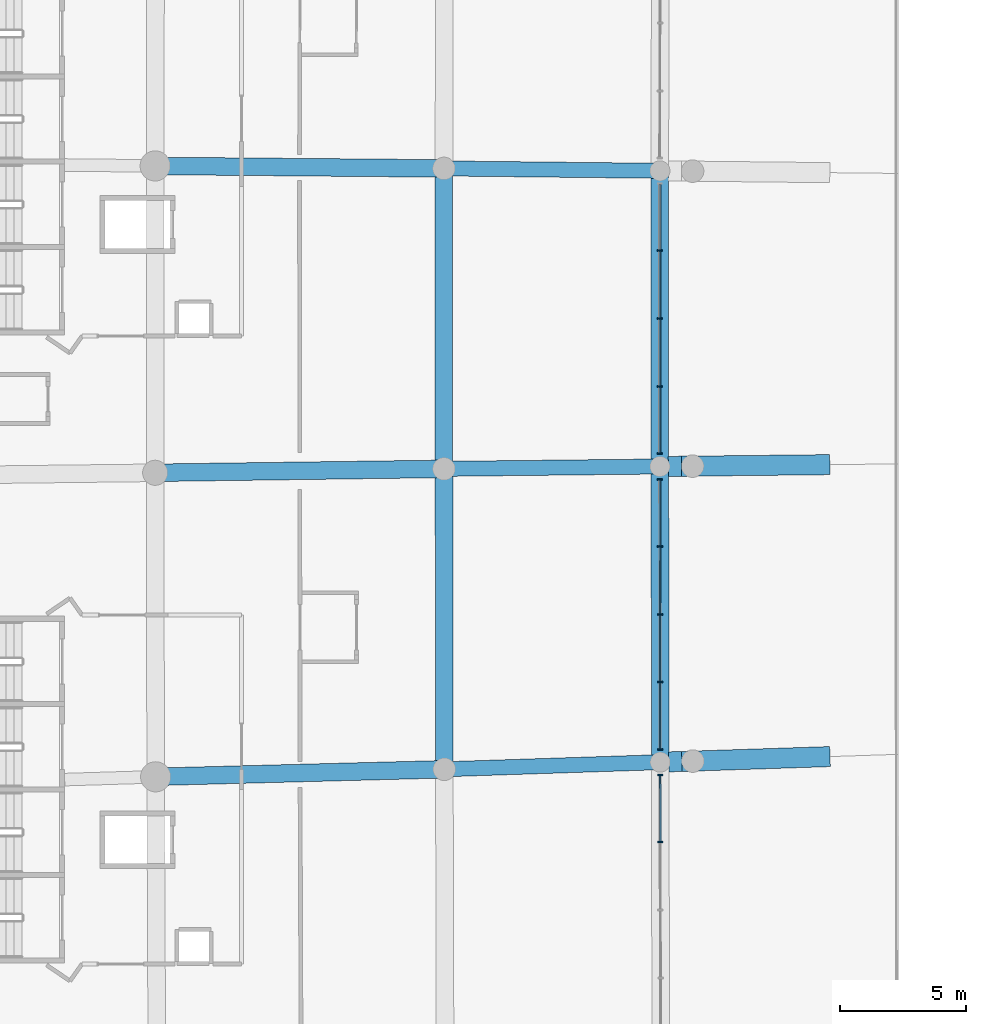
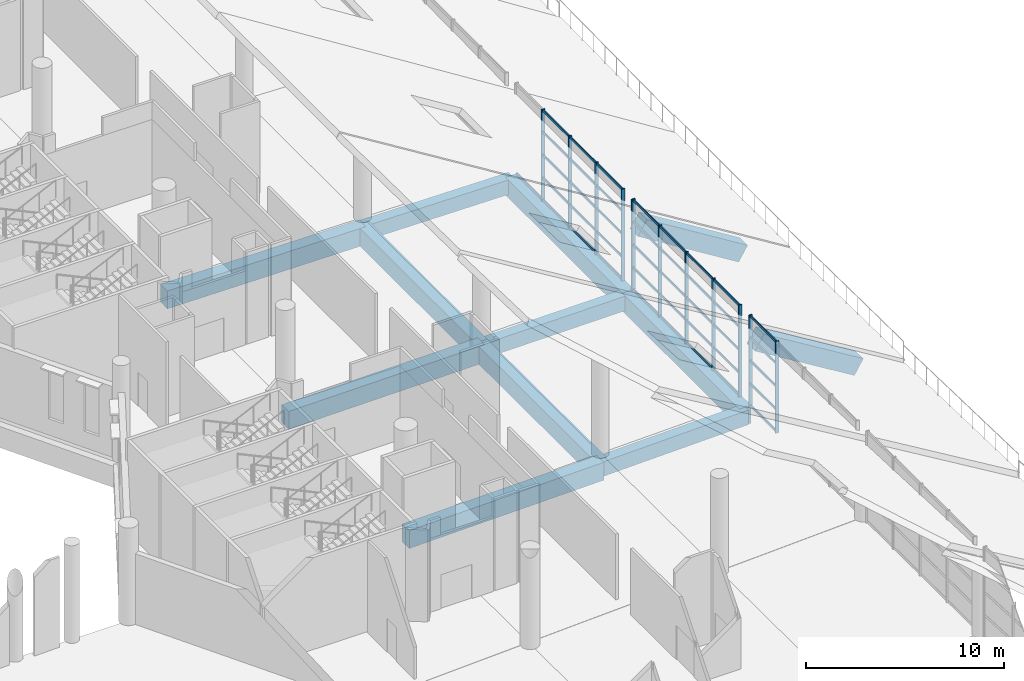
# One storey, part 26 of 249: 52 members, 12 beams, 3 elements without a shape of their own.
"""IFC4 building model written with IfcOpenShell, lengths in metres."""

from ifc_helpers import new_model, si_unit, direction, frame, origin, origin_2d, place, context, subcontext, project, spatial, rectangle, extrude, material, layer, layer_set, material_profile, profile_set, type_object, element, aggregate, save


model = new_model("IFC4")

# Units and contexts
model_context = context("Model", 3, precision=1e-05, world=origin(), true_north=direction((0.0, 1.0)))
body_context = subcontext(model_context, "Body", "Model", "MODEL_VIEW")
ifc_project = project(units=[si_unit("LENGTHUNIT", "METRE"), si_unit("AREAUNIT", "SQUARE_METRE"), si_unit("VOLUMEUNIT", "CUBIC_METRE"), si_unit("PLANEANGLEUNIT", "RADIAN"), si_unit("MASSUNIT", "GRAM", prefix="KILO")], contexts=[model_context])

# Site, building, storey
site_placement = place(None, origin())
site = spatial("IfcSite", under=ifc_project, at=site_placement, CompositionType="ELEMENT")
building_placement = place(site_placement, origin())
building = spatial("IfcBuilding", under=site, at=building_placement, Name="Meseta Stadium", CompositionType="ELEMENT")
storey_placement = place(building_placement, frame((0.0, 0.0, 12.0)))
storey = spatial("IfcBuildingStorey", under=building, at=storey_placement, Name="L02", CompositionType="ELEMENT", Elevation=12.0)

# Curtain wall, members
ifc_material_1 = material(Name="Aluminium", Category="aluminium")
ifc_layer = layer(ifc_material_1, 0.199951171875)
ifc_layer_set = layer_set([ifc_layer], Name="Suite glazing curtain wall")
curtain_wall_type = type_object("IfcCurtainWallType", Name="Suite glazing curtain wall", PredefinedType="NOTDEFINED", material=ifc_layer_set)
curtain_wall_1_placement = place(storey_placement, origin())
curtain_wall_1 = element("IfcCurtainWall", 1, at=curtain_wall_1_placement, inside=storey, type_object=curtain_wall_type, Name="Suite glazing bay 32", PredefinedType="NOTDEFINED")
ifc_material_2 = material(Name="Aluminium", Category="aluminium")
ifc_material_profile_1 = material_profile(ifc_material_2, rectangle(XDim=0.199951171875, YDim=0.06005859375, at=origin_2d()), Name="CW 200x60")
ifc_profile_set_1 = profile_set([ifc_material_profile_1], Name="Aluminium")
member_type_1 = type_object("IfcMemberType", Name="CW mullion 60x200", PredefinedType="MULLION", material=ifc_profile_set_1)
member_1_placement = place(storey_placement, frame((-64.898681640625, 2.7041015625, 0.0), z_axis=(0.0, 0.0, 1.0), x_axis=(1.0, 0.0, 0.0)))
member_1 = element("IfcMember", 2, at=member_1_placement, type_object=member_type_1, Name="CWS mullion 2", PredefinedType="MULLION", context=body_context, shape_type="SweptSolid", body=[
    extrude(rectangle(XDim=0.199951171875, YDim=0.06005859375, at=origin_2d()), origin(), (0.0, 0.0, 1.0), 5.64990234375),
])
member_2_placement = place(storey_placement, frame((-64.898681640625, 0.0, 0.0), z_axis=(0.0, 0.0, 1.0), x_axis=(1.0, 0.0, 0.0)))
member_2 = element("IfcMember", 3, at=member_2_placement, type_object=member_type_1, Name="CWS mullion 3", PredefinedType="MULLION", context=body_context, shape_type="SweptSolid", body=[
    extrude(rectangle(XDim=0.199951171875, YDim=0.06005859375, at=origin_2d()), origin(), (0.0, 0.0, 1.0), 5.64990234375),
])
member_3_placement = place(storey_placement, frame((-64.898681640625, -2.7041015625, 0.0), z_axis=(0.0, 0.0, 1.0), x_axis=(1.0, 0.0, 0.0)))
member_3 = element("IfcMember", 4, at=member_3_placement, type_object=member_type_1, Name="CWS mullion 4", PredefinedType="MULLION", context=body_context, shape_type="SweptSolid", body=[
    extrude(rectangle(XDim=0.199951171875, YDim=0.06005859375, at=origin_2d()), origin(), (0.0, 0.0, 1.0), 5.64990234375),
])
member_4_placement = place(storey_placement, frame((-64.898681640625, -5.378173828125, 0.0), z_axis=(0.0, 0.0, 1.0), x_axis=(1.0, 0.0, 0.0)))
member_4 = element("IfcMember", 5, at=member_4_placement, type_object=member_type_1, Name="CWS mullion 5", PredefinedType="MULLION", context=body_context, shape_type="SweptSolid", body=[
    extrude(rectangle(XDim=0.199951171875, YDim=0.06005859375, at=origin_2d()), origin(), (0.0, 0.0, 1.0), 5.64990234375),
])

curtain_wall_2_placement = place(storey_placement, origin())
curtain_wall_2 = element("IfcCurtainWall", 6, at=curtain_wall_2_placement, inside=storey, type_object=curtain_wall_type, Name="Suite glazing bay 33", PredefinedType="NOTDEFINED")
member_5_placement = place(storey_placement, frame((-64.89794921875, -6.39599609375, 0.0), z_axis=(0.0, 0.0, 1.0), x_axis=(0.99999952434, 0.000975355927, 0.0)))
member_5 = element("IfcMember", 7, at=member_5_placement, type_object=member_type_1, Name="CWS mullion 1", PredefinedType="MULLION", context=body_context, shape_type="SweptSolid", body=[
    extrude(rectangle(XDim=0.199951171875, YDim=0.06005859375, at=origin_2d()), origin(), (0.0, 0.0, 1.0), 5.64990234375),
])
member_6_placement = place(storey_placement, frame((-64.8955078125, -9.06982421875, 0.0), z_axis=(0.0, 0.0, 1.0), x_axis=(0.99999952434, 0.000975355927, 0.0)))
member_6 = element("IfcMember", 8, at=member_6_placement, type_object=member_type_1, Name="CWS mullion 2", PredefinedType="MULLION", context=body_context, shape_type="SweptSolid", body=[
    extrude(rectangle(XDim=0.199951171875, YDim=0.06005859375, at=origin_2d()), origin(), (0.0, 0.0, 1.0), 5.64990234375),
])
member_7_placement = place(storey_placement, frame((-64.892822265625, -11.773681640625, 0.0), z_axis=(0.0, 0.0, 1.0), x_axis=(0.99999952434, 0.000975355927, 0.0)))
member_7 = element("IfcMember", 9, at=member_7_placement, type_object=member_type_1, Name="CWS mullion 3", PredefinedType="MULLION", context=body_context, shape_type="SweptSolid", body=[
    extrude(rectangle(XDim=0.199951171875, YDim=0.06005859375, at=origin_2d()), origin(), (0.0, 0.0, 1.0), 5.64990234375),
])
member_8_placement = place(storey_placement, frame((-64.89013671875, -14.477783203125, 0.0), z_axis=(0.0, 0.0, 1.0), x_axis=(0.99999952434, 0.000975355927, 0.0)))
member_8 = element("IfcMember", 10, at=member_8_placement, type_object=member_type_1, Name="CWS mullion 4", PredefinedType="MULLION", context=body_context, shape_type="SweptSolid", body=[
    extrude(rectangle(XDim=0.199951171875, YDim=0.06005859375, at=origin_2d()), origin(), (0.0, 0.0, 1.0), 5.64990234375),
])
member_9_placement = place(storey_placement, frame((-64.8876953125, -17.151611328125, 0.0), z_axis=(0.0, 0.0, 1.0), x_axis=(0.99999952434, 0.000975355927, 0.0)))
member_9 = element("IfcMember", 11, at=member_9_placement, type_object=member_type_1, Name="CWS mullion 5", PredefinedType="MULLION", context=body_context, shape_type="SweptSolid", body=[
    extrude(rectangle(XDim=0.199951171875, YDim=0.06005859375, at=origin_2d()), origin(), (0.0, 0.0, 1.0), 5.64990234375),
])

curtain_wall_3_placement = place(storey_placement, origin())
curtain_wall_3 = element("IfcCurtainWall", 12, at=curtain_wall_3_placement, inside=storey, type_object=curtain_wall_type, Name="Suite glazing bay 34", PredefinedType="NOTDEFINED")
member_10_placement = place(storey_placement, frame((-64.885986328125, -18.169921875, 0.0), z_axis=(0.0, 0.0, 1.0), x_axis=(0.999998105206, 0.001946685349, 0.0)))
member_10 = element("IfcMember", 13, at=member_10_placement, type_object=member_type_1, Name="CWS mullion 1", PredefinedType="MULLION", context=body_context, shape_type="SweptSolid", body=[
    extrude(rectangle(XDim=0.199951171875, YDim=0.06005859375, at=origin_2d()), origin(), (0.0, 0.0, 1.0), 5.64990234375),
])
member_11_placement = place(storey_placement, frame((-64.880859375, -20.84326171875, 0.0), z_axis=(0.0, 0.0, 1.0), x_axis=(0.999998105206, 0.001946685349, 0.0)))
member_11 = element("IfcMember", 14, at=member_11_placement, type_object=member_type_1, Name="CWS mullion 2", PredefinedType="MULLION", context=body_context, shape_type="SweptSolid", body=[
    extrude(rectangle(XDim=0.199951171875, YDim=0.06005859375, at=origin_2d()), origin(), (0.0, 0.0, 1.0), 5.64990234375),
])

# Member
ifc_material_3 = material(Name="Aluminium", Category="aluminium")
ifc_material_profile_2 = material_profile(ifc_material_3, rectangle(XDim=0.06005859375, YDim=0.14990234375, at=origin_2d()), Name="CW 60x150")
ifc_profile_set_2 = profile_set([ifc_material_profile_2], Name="Aluminium")
member_type_2 = type_object("IfcMemberType", Name="CW transom 60x150", PredefinedType="USERDEFINED", material=ifc_profile_set_2)
member_12_placement = place(storey_placement, frame((-64.898681640625, 5.34814453125, 0.074951171875), z_axis=(0.0, -1.0, 0.0), x_axis=(1.0, 0.0, 0.0)))
member_12 = element("IfcMember", 15, at=member_12_placement, type_object=member_type_2, Name="CWS transom 1.1", ObjectType="TRANSOM", PredefinedType="USERDEFINED", context=body_context, shape_type="SweptSolid", body=[
    extrude(rectangle(XDim=0.06005859375, YDim=0.14990234375, at=origin_2d()), origin(), (0.0, 0.0, 1.0), 2.614013671875),
])

member_13_placement = place(storey_placement, frame((-64.898681640625, 2.674072265625, 0.074951171875), z_axis=(0.0, -1.0, 0.0), x_axis=(1.0, 0.0, 0.0)))
member_13 = element("IfcMember", 16, at=member_13_placement, type_object=member_type_2, Name="CWS transom 2.1", ObjectType="TRANSOM", PredefinedType="USERDEFINED", context=body_context, shape_type="SweptSolid", body=[
    extrude(rectangle(XDim=0.06005859375, YDim=0.14990234375, at=origin_2d()), origin(), (0.0, 0.0, 1.0), 2.64404296875),
])

member_14_placement = place(storey_placement, frame((-64.898681640625, 2.674072265625, 1.41259765625), z_axis=(0.0, -1.0, 0.0), x_axis=(1.0, 0.0, 0.0)))
member_14 = element("IfcMember", 17, at=member_14_placement, type_object=member_type_2, Name="CWS transom 2.2", ObjectType="TRANSOM", PredefinedType="USERDEFINED", context=body_context, shape_type="SweptSolid", body=[
    extrude(rectangle(XDim=0.06005859375, YDim=0.14990234375, at=origin_2d()), origin(), (0.0, 0.0, 1.0), 2.64404296875),
])

member_15_placement = place(storey_placement, frame((-64.898681640625, 2.674072265625, 2.824951171875), z_axis=(0.0, -1.0, 0.0), x_axis=(1.0, 0.0, 0.0)))
member_15 = element("IfcMember", 18, at=member_15_placement, type_object=member_type_2, Name="CWS transom 2.3", ObjectType="TRANSOM", PredefinedType="USERDEFINED", context=body_context, shape_type="SweptSolid", body=[
    extrude(rectangle(XDim=0.06005859375, YDim=0.14990234375, at=origin_2d()), origin(), (0.0, 0.0, 1.0), 2.64404296875),
])

member_16_placement = place(storey_placement, frame((-64.898681640625, 2.674072265625, 4.237548828125), z_axis=(0.0, -1.0, 0.0), x_axis=(1.0, 0.0, 0.0)))
member_16 = element("IfcMember", 19, at=member_16_placement, type_object=member_type_2, Name="CWS transom 2.4", ObjectType="TRANSOM", PredefinedType="USERDEFINED", context=body_context, shape_type="SweptSolid", body=[
    extrude(rectangle(XDim=0.06005859375, YDim=0.14990234375, at=origin_2d()), origin(), (0.0, 0.0, 1.0), 2.64404296875),
])

member_17_placement = place(storey_placement, frame((-64.898681640625, 2.674072265625, 5.574951171875), z_axis=(0.0, -1.0, 0.0), x_axis=(1.0, 0.0, 0.0)))
member_17 = element("IfcMember", 20, at=member_17_placement, type_object=member_type_2, Name="CWS transom 2.5", ObjectType="TRANSOM", PredefinedType="USERDEFINED", context=body_context, shape_type="SweptSolid", body=[
    extrude(rectangle(XDim=0.06005859375, YDim=0.14990234375, at=origin_2d()), origin(), (0.0, 0.0, 1.0), 2.64404296875),
])

member_18_placement = place(storey_placement, frame((-64.898681640625, -0.030029296875, 0.074951171875), z_axis=(0.0, -1.0, 0.0), x_axis=(1.0, 0.0, 0.0)))
member_18 = element("IfcMember", 21, at=member_18_placement, type_object=member_type_2, Name="CWS transom 3.1", ObjectType="TRANSOM", PredefinedType="USERDEFINED", context=body_context, shape_type="SweptSolid", body=[
    extrude(rectangle(XDim=0.06005859375, YDim=0.14990234375, at=origin_2d()), origin(), (0.0, 0.0, 1.0), 2.64404296875),
])

member_19_placement = place(storey_placement, frame((-64.898681640625, -0.030029296875, 1.41259765625), z_axis=(0.0, -1.0, 0.0), x_axis=(1.0, 0.0, 0.0)))
member_19 = element("IfcMember", 22, at=member_19_placement, type_object=member_type_2, Name="CWS transom 3.2", ObjectType="TRANSOM", PredefinedType="USERDEFINED", context=body_context, shape_type="SweptSolid", body=[
    extrude(rectangle(XDim=0.06005859375, YDim=0.14990234375, at=origin_2d()), origin(), (0.0, 0.0, 1.0), 2.64404296875),
])

member_20_placement = place(storey_placement, frame((-64.898681640625, -0.030029296875, 2.824951171875), z_axis=(0.0, -1.0, 0.0), x_axis=(1.0, 0.0, 0.0)))
member_20 = element("IfcMember", 23, at=member_20_placement, type_object=member_type_2, Name="CWS transom 3.3", ObjectType="TRANSOM", PredefinedType="USERDEFINED", context=body_context, shape_type="SweptSolid", body=[
    extrude(rectangle(XDim=0.06005859375, YDim=0.14990234375, at=origin_2d()), origin(), (0.0, 0.0, 1.0), 2.64404296875),
])

member_21_placement = place(storey_placement, frame((-64.898681640625, -0.030029296875, 4.237548828125), z_axis=(0.0, -1.0, 0.0), x_axis=(1.0, 0.0, 0.0)))
member_21 = element("IfcMember", 24, at=member_21_placement, type_object=member_type_2, Name="CWS transom 3.4", ObjectType="TRANSOM", PredefinedType="USERDEFINED", context=body_context, shape_type="SweptSolid", body=[
    extrude(rectangle(XDim=0.06005859375, YDim=0.14990234375, at=origin_2d()), origin(), (0.0, 0.0, 1.0), 2.64404296875),
])

member_22_placement = place(storey_placement, frame((-64.898681640625, -0.030029296875, 5.574951171875), z_axis=(0.0, -1.0, 0.0), x_axis=(1.0, 0.0, 0.0)))
member_22 = element("IfcMember", 25, at=member_22_placement, type_object=member_type_2, Name="CWS transom 3.5", ObjectType="TRANSOM", PredefinedType="USERDEFINED", context=body_context, shape_type="SweptSolid", body=[
    extrude(rectangle(XDim=0.06005859375, YDim=0.14990234375, at=origin_2d()), origin(), (0.0, 0.0, 1.0), 2.64404296875),
])

member_23_placement = place(storey_placement, frame((-64.898681640625, -2.734130859375, 0.074951171875), z_axis=(0.0, -1.0, 0.0), x_axis=(1.0, 0.0, 0.0)))
member_23 = element("IfcMember", 26, at=member_23_placement, type_object=member_type_2, Name="CWS transom 4.1", ObjectType="TRANSOM", PredefinedType="USERDEFINED", context=body_context, shape_type="SweptSolid", body=[
    extrude(rectangle(XDim=0.06005859375, YDim=0.14990234375, at=origin_2d()), origin(), (0.0, 0.0, 1.0), 2.614013671875),
])

member_24_placement = place(storey_placement, frame((-64.898681640625, -2.734130859375, 1.41259765625), z_axis=(0.0, -1.0, 0.0), x_axis=(1.0, 0.0, 0.0)))
member_24 = element("IfcMember", 27, at=member_24_placement, type_object=member_type_2, Name="CWS transom 4.2", ObjectType="TRANSOM", PredefinedType="USERDEFINED", context=body_context, shape_type="SweptSolid", body=[
    extrude(rectangle(XDim=0.06005859375, YDim=0.14990234375, at=origin_2d()), origin(), (0.0, 0.0, 1.0), 2.614013671875),
])

member_25_placement = place(storey_placement, frame((-64.898681640625, -2.734130859375, 2.824951171875), z_axis=(0.0, -1.0, 0.0), x_axis=(1.0, 0.0, 0.0)))
member_25 = element("IfcMember", 28, at=member_25_placement, type_object=member_type_2, Name="CWS transom 4.3", ObjectType="TRANSOM", PredefinedType="USERDEFINED", context=body_context, shape_type="SweptSolid", body=[
    extrude(rectangle(XDim=0.06005859375, YDim=0.14990234375, at=origin_2d()), origin(), (0.0, 0.0, 1.0), 2.614013671875),
])

member_26_placement = place(storey_placement, frame((-64.898681640625, -2.734130859375, 4.237548828125), z_axis=(0.0, -1.0, 0.0), x_axis=(1.0, 0.0, 0.0)))
member_26 = element("IfcMember", 29, at=member_26_placement, type_object=member_type_2, Name="CWS transom 4.4", ObjectType="TRANSOM", PredefinedType="USERDEFINED", context=body_context, shape_type="SweptSolid", body=[
    extrude(rectangle(XDim=0.06005859375, YDim=0.14990234375, at=origin_2d()), origin(), (0.0, 0.0, 1.0), 2.614013671875),
])

member_27_placement = place(storey_placement, frame((-64.898681640625, -2.734130859375, 5.574951171875), z_axis=(0.0, -1.0, 0.0), x_axis=(1.0, 0.0, 0.0)))
member_27 = element("IfcMember", 30, at=member_27_placement, type_object=member_type_2, Name="CWS transom 4.5", ObjectType="TRANSOM", PredefinedType="USERDEFINED", context=body_context, shape_type="SweptSolid", body=[
    extrude(rectangle(XDim=0.06005859375, YDim=0.14990234375, at=origin_2d()), origin(), (0.0, 0.0, 1.0), 2.614013671875),
])

aggregate(curtain_wall_1, [member_1, member_2, member_3, member_4, member_12, member_13, member_14, member_15, member_16, member_17, member_18, member_19, member_20, member_21, member_22, member_23, member_24, member_25, member_26, member_27])

member_28_placement = place(storey_placement, frame((-64.89794921875, -6.426025390625, 0.074951171875), z_axis=(0.000934055262, -0.99999956377, 0.0), x_axis=(0.99999956377, 0.000934055262, 0.0)))
member_28 = element("IfcMember", 31, at=member_28_placement, type_object=member_type_2, Name="CWS transom 1.1", ObjectType="TRANSOM", PredefinedType="USERDEFINED", context=body_context, shape_type="SweptSolid", body=[
    extrude(rectangle(XDim=0.06005859375, YDim=0.14990234375, at=origin_2d()), origin(), (0.0, 0.0, 1.0), 2.61376953125),
])

member_29_placement = place(storey_placement, frame((-64.89794921875, -6.426025390625, 1.41259765625), z_axis=(0.000934055262, -0.99999956377, 0.0), x_axis=(0.99999956377, 0.000934055262, 0.0)))
member_29 = element("IfcMember", 32, at=member_29_placement, type_object=member_type_2, Name="CWS transom 1.2", ObjectType="TRANSOM", PredefinedType="USERDEFINED", context=body_context, shape_type="SweptSolid", body=[
    extrude(rectangle(XDim=0.06005859375, YDim=0.14990234375, at=origin_2d()), origin(), (0.0, 0.0, 1.0), 2.61376953125),
])

member_30_placement = place(storey_placement, frame((-64.89794921875, -6.426025390625, 2.824951171875), z_axis=(0.000934055262, -0.99999956377, 0.0), x_axis=(0.99999956377, 0.000934055262, 0.0)))
member_30 = element("IfcMember", 33, at=member_30_placement, type_object=member_type_2, Name="CWS transom 1.3", ObjectType="TRANSOM", PredefinedType="USERDEFINED", context=body_context, shape_type="SweptSolid", body=[
    extrude(rectangle(XDim=0.06005859375, YDim=0.14990234375, at=origin_2d()), origin(), (0.0, 0.0, 1.0), 2.61376953125),
])

member_31_placement = place(storey_placement, frame((-64.89794921875, -6.426025390625, 4.237548828125), z_axis=(0.000934055262, -0.99999956377, 0.0), x_axis=(0.99999956377, 0.000934055262, 0.0)))
member_31 = element("IfcMember", 34, at=member_31_placement, type_object=member_type_2, Name="CWS transom 1.4", ObjectType="TRANSOM", PredefinedType="USERDEFINED", context=body_context, shape_type="SweptSolid", body=[
    extrude(rectangle(XDim=0.06005859375, YDim=0.14990234375, at=origin_2d()), origin(), (0.0, 0.0, 1.0), 2.61376953125),
])

member_32_placement = place(storey_placement, frame((-64.89794921875, -6.426025390625, 5.574951171875), z_axis=(0.000934055262, -0.99999956377, 0.0), x_axis=(0.99999956377, 0.000934055262, 0.0)))
member_32 = element("IfcMember", 35, at=member_32_placement, type_object=member_type_2, Name="CWS transom 1.5", ObjectType="TRANSOM", PredefinedType="USERDEFINED", context=body_context, shape_type="SweptSolid", body=[
    extrude(rectangle(XDim=0.06005859375, YDim=0.14990234375, at=origin_2d()), origin(), (0.0, 0.0, 1.0), 2.61376953125),
])

member_33_placement = place(storey_placement, frame((-64.8955078125, -9.099853515625, 0.074951171875), z_axis=(0.001015696614, -0.99999948418, 0.0), x_axis=(0.99999948418, 0.001015696614, 0.0)))
member_33 = element("IfcMember", 36, at=member_33_placement, type_object=member_type_2, Name="CWS transom 2.1", ObjectType="TRANSOM", PredefinedType="USERDEFINED", context=body_context, shape_type="SweptSolid", body=[
    extrude(rectangle(XDim=0.06005859375, YDim=0.14990234375, at=origin_2d()), origin(), (0.0, 0.0, 1.0), 2.64404296875),
])

member_34_placement = place(storey_placement, frame((-64.8955078125, -9.099853515625, 1.41259765625), z_axis=(0.001015696614, -0.99999948418, 0.0), x_axis=(0.99999948418, 0.001015696614, 0.0)))
member_34 = element("IfcMember", 37, at=member_34_placement, type_object=member_type_2, Name="CWS transom 2.2", ObjectType="TRANSOM", PredefinedType="USERDEFINED", context=body_context, shape_type="SweptSolid", body=[
    extrude(rectangle(XDim=0.06005859375, YDim=0.14990234375, at=origin_2d()), origin(), (0.0, 0.0, 1.0), 2.64404296875),
])

member_35_placement = place(storey_placement, frame((-64.8955078125, -9.099853515625, 2.824951171875), z_axis=(0.001015696614, -0.99999948418, 0.0), x_axis=(0.99999948418, 0.001015696614, 0.0)))
member_35 = element("IfcMember", 38, at=member_35_placement, type_object=member_type_2, Name="CWS transom 2.3", ObjectType="TRANSOM", PredefinedType="USERDEFINED", context=body_context, shape_type="SweptSolid", body=[
    extrude(rectangle(XDim=0.06005859375, YDim=0.14990234375, at=origin_2d()), origin(), (0.0, 0.0, 1.0), 2.64404296875),
])

member_36_placement = place(storey_placement, frame((-64.8955078125, -9.099853515625, 4.237548828125), z_axis=(0.001015696614, -0.99999948418, 0.0), x_axis=(0.99999948418, 0.001015696614, 0.0)))
member_36 = element("IfcMember", 39, at=member_36_placement, type_object=member_type_2, Name="CWS transom 2.4", ObjectType="TRANSOM", PredefinedType="USERDEFINED", context=body_context, shape_type="SweptSolid", body=[
    extrude(rectangle(XDim=0.06005859375, YDim=0.14990234375, at=origin_2d()), origin(), (0.0, 0.0, 1.0), 2.64404296875),
])

member_37_placement = place(storey_placement, frame((-64.8955078125, -9.099853515625, 5.574951171875), z_axis=(0.001015696614, -0.99999948418, 0.0), x_axis=(0.99999948418, 0.001015696614, 0.0)))
member_37 = element("IfcMember", 40, at=member_37_placement, type_object=member_type_2, Name="CWS transom 2.5", ObjectType="TRANSOM", PredefinedType="USERDEFINED", context=body_context, shape_type="SweptSolid", body=[
    extrude(rectangle(XDim=0.06005859375, YDim=0.14990234375, at=origin_2d()), origin(), (0.0, 0.0, 1.0), 2.64404296875),
])

member_38_placement = place(storey_placement, frame((-64.892822265625, -11.8037109375, 0.074951171875), z_axis=(0.001015696614, -0.99999948418, 0.0), x_axis=(0.99999948418, 0.001015696614, 0.0)))
member_38 = element("IfcMember", 41, at=member_38_placement, type_object=member_type_2, Name="CWS transom 3.1", ObjectType="TRANSOM", PredefinedType="USERDEFINED", context=body_context, shape_type="SweptSolid", body=[
    extrude(rectangle(XDim=0.06005859375, YDim=0.14990234375, at=origin_2d()), origin(), (0.0, 0.0, 1.0), 2.64404296875),
])

member_39_placement = place(storey_placement, frame((-64.892822265625, -11.8037109375, 1.41259765625), z_axis=(0.001015696614, -0.99999948418, 0.0), x_axis=(0.99999948418, 0.001015696614, 0.0)))
member_39 = element("IfcMember", 42, at=member_39_placement, type_object=member_type_2, Name="CWS transom 3.2", ObjectType="TRANSOM", PredefinedType="USERDEFINED", context=body_context, shape_type="SweptSolid", body=[
    extrude(rectangle(XDim=0.06005859375, YDim=0.14990234375, at=origin_2d()), origin(), (0.0, 0.0, 1.0), 2.64404296875),
])

member_40_placement = place(storey_placement, frame((-64.892822265625, -11.8037109375, 2.824951171875), z_axis=(0.001015696614, -0.99999948418, 0.0), x_axis=(0.99999948418, 0.001015696614, 0.0)))
member_40 = element("IfcMember", 43, at=member_40_placement, type_object=member_type_2, Name="CWS transom 3.3", ObjectType="TRANSOM", PredefinedType="USERDEFINED", context=body_context, shape_type="SweptSolid", body=[
    extrude(rectangle(XDim=0.06005859375, YDim=0.14990234375, at=origin_2d()), origin(), (0.0, 0.0, 1.0), 2.64404296875),
])

member_41_placement = place(storey_placement, frame((-64.892822265625, -11.8037109375, 4.237548828125), z_axis=(0.001015696614, -0.99999948418, 0.0), x_axis=(0.99999948418, 0.001015696614, 0.0)))
member_41 = element("IfcMember", 44, at=member_41_placement, type_object=member_type_2, Name="CWS transom 3.4", ObjectType="TRANSOM", PredefinedType="USERDEFINED", context=body_context, shape_type="SweptSolid", body=[
    extrude(rectangle(XDim=0.06005859375, YDim=0.14990234375, at=origin_2d()), origin(), (0.0, 0.0, 1.0), 2.64404296875),
])

member_42_placement = place(storey_placement, frame((-64.892822265625, -11.8037109375, 5.574951171875), z_axis=(0.001015696614, -0.99999948418, 0.0), x_axis=(0.99999948418, 0.001015696614, 0.0)))
member_42 = element("IfcMember", 45, at=member_42_placement, type_object=member_type_2, Name="CWS transom 3.5", ObjectType="TRANSOM", PredefinedType="USERDEFINED", context=body_context, shape_type="SweptSolid", body=[
    extrude(rectangle(XDim=0.06005859375, YDim=0.14990234375, at=origin_2d()), origin(), (0.0, 0.0, 1.0), 2.64404296875),
])

member_43_placement = place(storey_placement, frame((-64.89013671875, -14.507568359375, 0.074951171875), z_axis=(0.000933968025, -0.999999563852, 0.0), x_axis=(0.999999563852, 0.000933968025, 0.0)))
member_43 = element("IfcMember", 46, at=member_43_placement, type_object=member_type_2, Name="CWS transom 4.1", ObjectType="TRANSOM", PredefinedType="USERDEFINED", context=body_context, shape_type="SweptSolid", body=[
    extrude(rectangle(XDim=0.06005859375, YDim=0.14990234375, at=origin_2d()), origin(), (0.0, 0.0, 1.0), 2.614013671875),
])

member_44_placement = place(storey_placement, frame((-64.89013671875, -14.507568359375, 1.41259765625), z_axis=(0.000933968025, -0.999999563852, 0.0), x_axis=(0.999999563852, 0.000933968025, 0.0)))
member_44 = element("IfcMember", 47, at=member_44_placement, type_object=member_type_2, Name="CWS transom 4.2", ObjectType="TRANSOM", PredefinedType="USERDEFINED", context=body_context, shape_type="SweptSolid", body=[
    extrude(rectangle(XDim=0.06005859375, YDim=0.14990234375, at=origin_2d()), origin(), (0.0, 0.0, 1.0), 2.614013671875),
])

member_45_placement = place(storey_placement, frame((-64.89013671875, -14.507568359375, 2.824951171875), z_axis=(0.000933968025, -0.999999563852, 0.0), x_axis=(0.999999563852, 0.000933968025, 0.0)))
member_45 = element("IfcMember", 48, at=member_45_placement, type_object=member_type_2, Name="CWS transom 4.3", ObjectType="TRANSOM", PredefinedType="USERDEFINED", context=body_context, shape_type="SweptSolid", body=[
    extrude(rectangle(XDim=0.06005859375, YDim=0.14990234375, at=origin_2d()), origin(), (0.0, 0.0, 1.0), 2.614013671875),
])

member_46_placement = place(storey_placement, frame((-64.89013671875, -14.507568359375, 4.237548828125), z_axis=(0.000933968025, -0.999999563852, 0.0), x_axis=(0.999999563852, 0.000933968025, 0.0)))
member_46 = element("IfcMember", 49, at=member_46_placement, type_object=member_type_2, Name="CWS transom 4.4", ObjectType="TRANSOM", PredefinedType="USERDEFINED", context=body_context, shape_type="SweptSolid", body=[
    extrude(rectangle(XDim=0.06005859375, YDim=0.14990234375, at=origin_2d()), origin(), (0.0, 0.0, 1.0), 2.614013671875),
])

member_47_placement = place(storey_placement, frame((-64.89013671875, -14.507568359375, 5.574951171875), z_axis=(0.000933968025, -0.999999563852, 0.0), x_axis=(0.999999563852, 0.000933968025, 0.0)))
member_47 = element("IfcMember", 50, at=member_47_placement, type_object=member_type_2, Name="CWS transom 4.5", ObjectType="TRANSOM", PredefinedType="USERDEFINED", context=body_context, shape_type="SweptSolid", body=[
    extrude(rectangle(XDim=0.06005859375, YDim=0.14990234375, at=origin_2d()), origin(), (0.0, 0.0, 1.0), 2.614013671875),
])

aggregate(curtain_wall_2, [member_5, member_6, member_7, member_8, member_9, member_28, member_29, member_30, member_31, member_32, member_33, member_34, member_35, member_36, member_37, member_38, member_39, member_40, member_41, member_42, member_43, member_44, member_45, member_46, member_47])

member_48_placement = place(storey_placement, frame((-64.885986328125, -18.199951171875, 0.074951171875), z_axis=(0.001961696366, -0.999998075872, 0.0), x_axis=(0.999998075872, 0.001961696366, 0.0)))
member_48 = element("IfcMember", 51, at=member_48_placement, type_object=member_type_2, Name="CWS transom 1.1", ObjectType="TRANSOM", PredefinedType="USERDEFINED", context=body_context, shape_type="SweptSolid", body=[
    extrude(rectangle(XDim=0.06005859375, YDim=0.14990234375, at=origin_2d()), origin(), (0.0, 0.0, 1.0), 2.613525390625),
])

member_49_placement = place(storey_placement, frame((-64.885986328125, -18.199951171875, 1.41259765625), z_axis=(0.001961696366, -0.999998075872, 0.0), x_axis=(0.999998075872, 0.001961696366, 0.0)))
member_49 = element("IfcMember", 52, at=member_49_placement, type_object=member_type_2, Name="CWS transom 1.2", ObjectType="TRANSOM", PredefinedType="USERDEFINED", context=body_context, shape_type="SweptSolid", body=[
    extrude(rectangle(XDim=0.06005859375, YDim=0.14990234375, at=origin_2d()), origin(), (0.0, 0.0, 1.0), 2.613525390625),
])

member_50_placement = place(storey_placement, frame((-64.885986328125, -18.199951171875, 2.824951171875), z_axis=(0.001961696366, -0.999998075872, 0.0), x_axis=(0.999998075872, 0.001961696366, 0.0)))
member_50 = element("IfcMember", 53, at=member_50_placement, type_object=member_type_2, Name="CWS transom 1.3", ObjectType="TRANSOM", PredefinedType="USERDEFINED", context=body_context, shape_type="SweptSolid", body=[
    extrude(rectangle(XDim=0.06005859375, YDim=0.14990234375, at=origin_2d()), origin(), (0.0, 0.0, 1.0), 2.613525390625),
])

member_51_placement = place(storey_placement, frame((-64.885986328125, -18.199951171875, 4.237548828125), z_axis=(0.001961696366, -0.999998075872, 0.0), x_axis=(0.999998075872, 0.001961696366, 0.0)))
member_51 = element("IfcMember", 54, at=member_51_placement, type_object=member_type_2, Name="CWS transom 1.4", ObjectType="TRANSOM", PredefinedType="USERDEFINED", context=body_context, shape_type="SweptSolid", body=[
    extrude(rectangle(XDim=0.06005859375, YDim=0.14990234375, at=origin_2d()), origin(), (0.0, 0.0, 1.0), 2.613525390625),
])

member_52_placement = place(storey_placement, frame((-64.885986328125, -18.199951171875, 5.574951171875), z_axis=(0.001961696366, -0.999998075872, 0.0), x_axis=(0.999998075872, 0.001961696366, 0.0)))
member_52 = element("IfcMember", 55, at=member_52_placement, type_object=member_type_2, Name="CWS transom 1.5", ObjectType="TRANSOM", PredefinedType="USERDEFINED", context=body_context, shape_type="SweptSolid", body=[
    extrude(rectangle(XDim=0.06005859375, YDim=0.14990234375, at=origin_2d()), origin(), (0.0, 0.0, 1.0), 2.613525390625),
])

aggregate(curtain_wall_3, [member_10, member_11, member_48, member_49, member_50, member_51, member_52])

# Beams
ifc_material_4 = material(Name="Concrete C40/50", Category="concrete")
ifc_material_profile_3 = material_profile(ifc_material_4, rectangle(XDim=0.60009765625, YDim=0.89990234375, at=origin_2d()), Name="RC 600x900")
ifc_profile_set_3 = profile_set([ifc_material_profile_3], Name="Concrete C40/50")
beam_type_1 = type_object("IfcBeamType", Name="RC beam 600x900", PredefinedType="BEAM", material=ifc_profile_set_3)
for number, where, z_axis, x_axis, name in (
    (56, (-64.898681640625, 5.886962890625, -0.800048828125), (-0.999939958323, 0.010958090563, 0.0), (-0.010958090563, -0.999939958323, 0.0), "L02 radial beam frame 32 line D to E"),
    (57, (-64.898681640625, -5.886962890625, -0.800048828125), (-0.999939958323, -0.010958090563, 0.0), (0.010958090563, -0.999939958323, 0.0), "L02 radial beam frame 33 line D to E"),
    (58, (-64.88720703125, -17.660888671875, -0.800048828125), (-0.999459492737, -0.032874342231, 0.0), (0.032874342231, -0.999459492737, 0.0), "L02 radial beam frame 34 line D to E"),
):
    element("IfcBeam", number, at=place(storey_placement, frame(where, z_axis=z_axis, x_axis=x_axis)), inside=storey, type_object=beam_type_1, Name=name, PredefinedType="BEAM", context=body_context, shape_type="SweptSolid", body=[
        extrude(rectangle(XDim=0.60009765625, YDim=0.89990234375, at=origin_2d()), origin(), (0.0, 0.0, 1.0), 8.599853515625),
    ])
ifc_material_5 = material(Name="Concrete C40/50", Category="concrete")
ifc_material_profile_4 = material_profile(ifc_material_5, rectangle(XDim=0.699951171875, YDim=1.10009765625, at=origin_2d()), Name="RC 700x1100")
ifc_profile_set_4 = profile_set([ifc_material_profile_4], Name="Concrete C40/50")
beam_type_2 = type_object("IfcBeamType", Name="RC beam 700x1100", PredefinedType="BEAM", material=ifc_profile_set_4)
beam_1_placement = place(storey_placement, frame((-64.898681640625, 5.886962890625, -0.89990234375), z_axis=(0.0, -1.0, 0.0), x_axis=(1.0, 0.0, 0.0)))
element("IfcBeam", 59, at=beam_1_placement, inside=storey, type_object=beam_type_2, Name="L02 ring beam frame 32 line D", PredefinedType="BEAM", context=body_context, shape_type="SweptSolid", body=[
    extrude(rectangle(XDim=0.699951171875, YDim=1.10009765625, at=origin_2d()), origin(), (0.0, 0.0, 1.0), 11.77392578125),
])
beam_2_placement = place(storey_placement, frame((-73.498046875, 5.981201171875, -0.89990234375), z_axis=(0.0, -1.0, 0.0), x_axis=(1.0, 0.0, 0.0)))
element("IfcBeam", 60, at=beam_2_placement, inside=storey, type_object=beam_type_2, Name="L02 ring beam frame 32 line E", PredefinedType="BEAM", context=body_context, shape_type="SweptSolid", body=[
    extrude(rectangle(XDim=0.699951171875, YDim=1.10009765625, at=origin_2d()), origin(), (0.0, 0.0, 1.0), 11.96240234375),
])
beam_3_placement = place(storey_placement, frame((-64.898681640625, -5.886962890625, -0.89990234375), z_axis=(0.000974577566, -0.999999525099, 0.0), x_axis=(0.999999525099, 0.000974577566, 0.0)))
element("IfcBeam", 61, at=beam_3_placement, inside=storey, type_object=beam_type_2, Name="L02 ring beam frame 33 line D", PredefinedType="BEAM", context=body_context, shape_type="SweptSolid", body=[
    extrude(rectangle(XDim=0.699951171875, YDim=1.10009765625, at=origin_2d()), origin(), (0.0, 0.0, 1.0), 11.77392578125),
])
beam_4_placement = place(storey_placement, frame((-73.498046875, -5.981201171875, -0.89990234375), z_axis=(0.001306174648, -0.999999146954, 0.0), x_axis=(0.999999146954, 0.001306174648, 0.0)))
element("IfcBeam", 62, at=beam_4_placement, inside=storey, type_object=beam_type_2, Name="L02 ring beam frame 33 line E", PredefinedType="BEAM", context=body_context, shape_type="SweptSolid", body=[
    extrude(rectangle(XDim=0.699951171875, YDim=1.10009765625, at=origin_2d()), origin(), (0.0, 0.0, 1.0), 11.96240234375),
])
for number, where, z_axis, x_axis, name in (
    (63, (-73.498046875, 5.981201171875, -0.89990234375), (-0.999962117874, 0.008704183863, 0.0), (-0.008704183863, -0.999962117874, 0.0), "L02 radial beam frame 32 line E to P"),
    (64, (-73.498046875, -5.981201171875, -0.89990234375), (-0.9999079826, -0.013565630592, 0.0), (0.013565630592, -0.9999079826, 0.0), "L02 radial beam frame 33 line E to P"),
    (65, (-73.482421875, -17.943603515625, -0.89990234375), (-0.999659567147, -0.026091182637, 0.0), (0.026091182637, -0.999659567147, 0.0), "L02 radial beam frame 34 line E to P"),
):
    element("IfcBeam", number, at=place(storey_placement, frame(where, z_axis=z_axis, x_axis=x_axis)), inside=storey, type_object=beam_type_2, Name=name, PredefinedType="BEAM", context=body_context, shape_type="SweptSolid", body=[
        extrude(rectangle(XDim=0.699951171875, YDim=1.10009765625, at=origin_2d()), origin(), (0.0, 0.0, 1.0), 11.5),
    ])
ifc_material_6 = material(Name="Concrete C40/50", Category="concrete")
ifc_material_profile_5 = material_profile(ifc_material_6, rectangle(XDim=0.800048828125, YDim=1.0, at=origin_2d()), Name="RC 800x1000")
ifc_profile_set_5 = profile_set([ifc_material_profile_5], Name="Concrete C40/50")
beam_type_3 = type_object("IfcBeamType", Name="RC raker upper front 800x1000", PredefinedType="USERDEFINED", material=ifc_profile_set_5)
beam_5_placement = place(storey_placement, frame((-58.39892578125, -5.81591796875, -0.12744140625), z_axis=(-0.847963610779, -0.009299000904, 0.529972870416), x_axis=(0.010965614198, -0.999939875845, 0.0)))
element("IfcBeam", 66, at=beam_5_placement, inside=storey, type_object=beam_type_3, Name="Raker upper front frame 33 upper tier", ObjectType="RAKER", PredefinedType="USERDEFINED", context=body_context, shape_type="SweptSolid", body=[
    extrude(rectangle(XDim=0.800048828125, YDim=1.0, at=origin_2d()), origin(), (0.0, 0.0, 1.0), 6.95751953125),
])
beam_6_placement = place(storey_placement, frame((-58.390625, -17.447021484375, -0.05029296875), z_axis=(-0.84755192503, -0.027897312152, 0.529978748964), x_axis=(0.032897350014, -0.999458735698, 0.0)))
element("IfcBeam", 67, at=beam_6_placement, inside=storey, type_object=beam_type_3, Name="Raker upper front frame 34 upper tier", ObjectType="RAKER", PredefinedType="USERDEFINED", context=body_context, shape_type="SweptSolid", body=[
    extrude(rectangle(XDim=0.800048828125, YDim=1.0, at=origin_2d()), origin(), (0.0, 0.0, 1.0), 6.957275390625),
])

save(model, "model.ifc")
